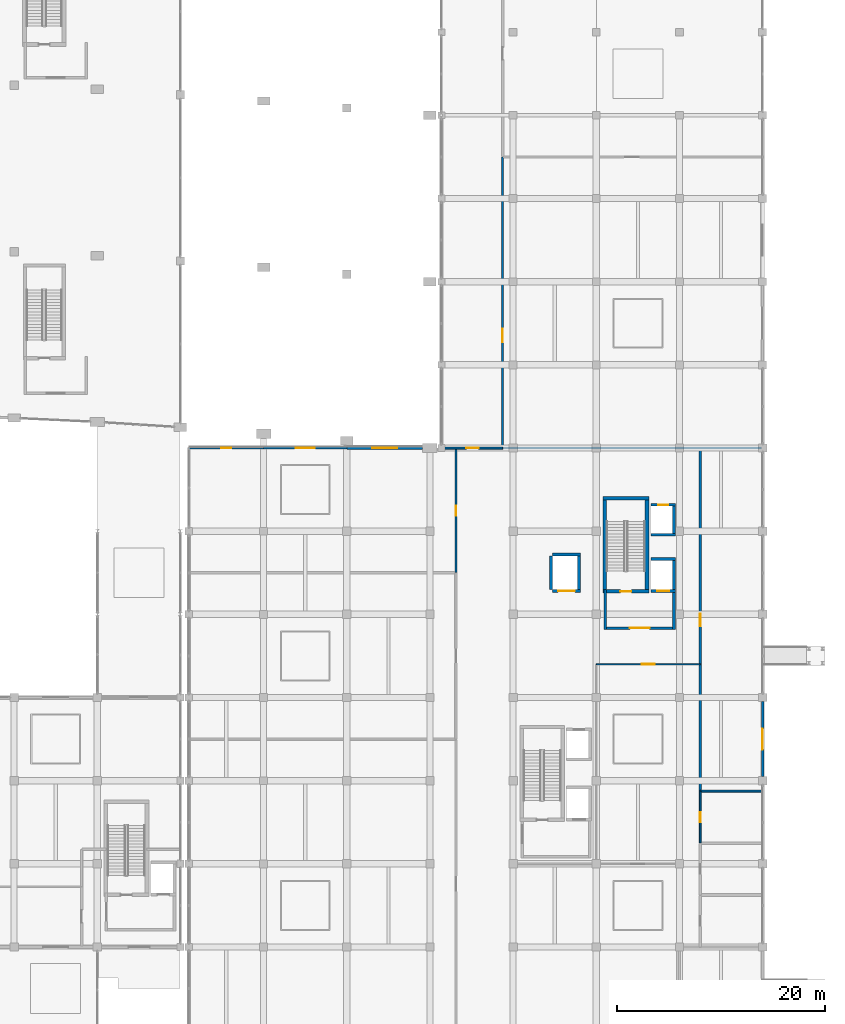
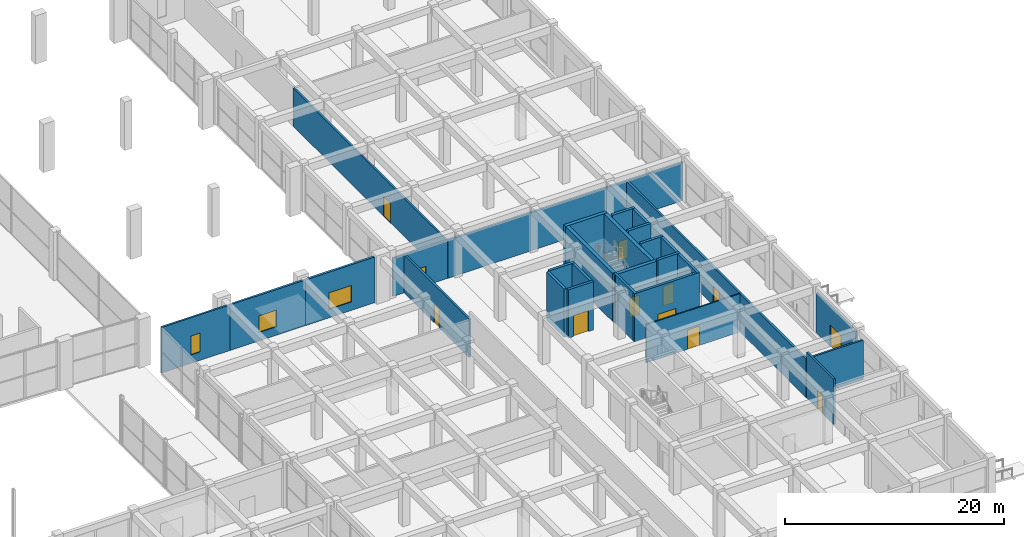
# One storey, part 61 of 86: 29 walls, 12 doors, 3 windows, 15 openings.
"""IFC4 building model written with IfcOpenShell, lengths in metres."""

import ifcopenshell
import ifcopenshell.guid

model = None  # the IFC model being written
_history = None  # IfcOwnerHistory: only IFC2X3 demands one
_inside = {}  # id of a spatial element -> (the spatial element, [elements in it])
_under = {}  # id of a project, library or spatial element -> (it, [spatial elements below it])
_declared = {}  # id of a project -> (the project, [libraries it declares])
_typed = {}  # id of a type object -> (the type object, [elements of that type])
_made_of = {}  # id of a material, layer set ... -> (it, [elements and type objects made of it])


def new_model(schema):
    """Start an empty IFC model of exactly this schema.

    Asked for "IFC4X3", IfcOpenShell would pick the latest addendum, in which some entities
    have other attributes; the version numbers below select the first issue.
    IFC2X3 requires an IfcOwnerHistory on every rooted entity: one is made here for all.
    """
    global model, _history
    if schema == "IFC4X3":
        model = ifcopenshell.file(schema_version=(4, 3, 0, 0))
    else:
        model = ifcopenshell.file(schema=schema)
    _inside.clear()
    _under.clear()
    _declared.clear()
    _typed.clear()
    _made_of.clear()
    _history = None
    if model.schema == "IFC2X3":
        org = make("IfcOrganization", Name="unknown")
        user = make(
            "IfcPersonAndOrganization",
            ThePerson=make("IfcPerson", FamilyName="unknown"),
            TheOrganization=org,
        )
        app = make(
            "IfcApplication",
            ApplicationDeveloper=org,
            Version="unknown",
            ApplicationFullName="unknown",
            ApplicationIdentifier="unknown",
        )
        _history = make(
            "IfcOwnerHistory",
            OwningUser=user,
            OwningApplication=app,
            ChangeAction="ADDED",
            CreationDate=0,
        )
    return model


def make(cls, **values):
    """One entity of the class cls with the attributes given. An attribute that is None is left unset."""
    return model.create_entity(
        cls, **{name: value for name, value in values.items() if value is not None}
    )


def rooted(cls, **values):
    """An entity with a GlobalId (a new one), such as an element, a storey or a relation."""
    return make(cls, GlobalId=ifcopenshell.guid.new(), OwnerHistory=_history, **values)


def si_unit(unit_type, name, prefix=None):
    """IfcSIUnit, for example si_unit("LENGTHUNIT", "METRE", prefix="MILLI")."""
    return make("IfcSIUnit", UnitType=unit_type, Prefix=prefix, Name=name)


def assignment(units):
    """IfcUnitAssignment: the units of a project."""
    return None if units is None else make("IfcUnitAssignment", Units=units)


def point(xyz):
    """IfcCartesianPoint."""
    return None if xyz is None else make("IfcCartesianPoint", Coordinates=xyz)


def direction(xyz):
    """IfcDirection."""
    return None if xyz is None else make("IfcDirection", DirectionRatios=xyz)


def frame(location, z_axis=None, x_axis=None):
    """IfcAxis2Placement3D, a coordinate frame: its origin and axes. An axis left out is left unset."""
    return make(
        "IfcAxis2Placement3D",
        Location=point(location),
        Axis=direction(z_axis),
        RefDirection=direction(x_axis),
    )


def frame_2d(location, x_axis=None):
    """IfcAxis2Placement2D, a coordinate frame in the plane: its origin and x axis."""
    return make(
        "IfcAxis2Placement2D", Location=point(location), RefDirection=direction(x_axis)
    )


def origin():
    """The frame at (0, 0, 0) with its axes left unset."""
    return frame((0.0, 0.0, 0.0))


def place(relative_to, where):
    """IfcLocalPlacement: puts the frame where relative to a parent placement (None: the world)."""
    return make(
        "IfcLocalPlacement", PlacementRelTo=relative_to, RelativePlacement=where
    )


def context(
    kind, dimensions, precision=None, world=None, true_north=None, identifier=None
):
    """IfcGeometricRepresentationContext, for example the 3D "Model" context."""
    return make(
        "IfcGeometricRepresentationContext",
        ContextIdentifier=identifier,
        ContextType=kind,
        CoordinateSpaceDimension=dimensions,
        Precision=precision,
        WorldCoordinateSystem=world,
        TrueNorth=true_north,
    )


def subcontext(parent, identifier, kind, view, scale=None):
    """IfcGeometricRepresentationSubContext, for example "Body" below "Model"."""
    return make(
        "IfcGeometricRepresentationSubContext",
        ContextIdentifier=identifier,
        ContextType=kind,
        ParentContext=parent,
        TargetScale=scale,
        TargetView=view,
    )


def project(units=None, contexts=None):
    """IfcProject with its units and contexts."""
    return rooted(
        "IfcProject",
        Name="project",
        RepresentationContexts=contexts,
        UnitsInContext=assignment(units),
    )


def spatial(cls, under=None, at=None, **own):
    """A site, building, storey or space (cls), placed at a placement, below another one or the project."""
    s = rooted(cls, ObjectPlacement=at, **own)
    if under is not None:
        _under.setdefault(under.id(), (under, []))[1].append(s)
    return s


def profile(cls, at=None, kind="AREA", **sizes):
    """A parametric profile (cls). Its sizes go by their IFC names, for example OverallWidth=200.0."""
    return make(cls, ProfileType=kind, Position=at, **sizes)


def rectangle(**sizes):
    """IfcRectangleProfileDef."""
    return profile("IfcRectangleProfileDef", **sizes)


def extrude(swept, where, along, depth):
    """IfcExtrudedAreaSolid: the profile swept, set in the frame where, extruded along a direction by depth."""
    return make(
        "IfcExtrudedAreaSolid",
        SweptArea=swept,
        Position=where,
        ExtrudedDirection=direction(along),
        Depth=depth,
    )


def shape(context_of_items, identifier, shape_type, items):
    """IfcShapeRepresentation: the items that make up one representation, for example the "Body"."""
    return make(
        "IfcShapeRepresentation",
        ContextOfItems=context_of_items,
        RepresentationIdentifier=identifier,
        RepresentationType=shape_type,
        Items=items,
    )


def material(Name=None, Category=None):
    """IfcMaterial."""
    return make("IfcMaterial", Name=Name, Category=Category)


def layer(
    of_material, thickness, ventilated=None, Name=None, Category=None, Priority=None
):
    """IfcMaterialLayer: one layer of a wall or slab, of a material (None: an air gap)."""
    return make(
        "IfcMaterialLayer",
        Material=of_material,
        LayerThickness=thickness,
        IsVentilated=ventilated,
        Name=Name,
        Category=Category,
        Priority=Priority,
    )


def layer_set(layers, Name=None):
    """IfcMaterialLayerSet."""
    return make("IfcMaterialLayerSet", MaterialLayers=layers, LayerSetName=Name)


def made_of(thing, what):
    """Note that an element or type object is made of a material, layer set ...; save() writes the relation."""
    if what is not None:
        _made_of.setdefault(what.id(), (what, []))[1].append(thing)
    return thing


def type_object(cls, material=None, **own):
    """A type object (cls), such as IfcWallType, which elements share."""
    return made_of(rooted(cls, **own), material)


def element(
    cls,
    number,
    at=None,
    inside=None,
    cuts=None,
    type_object=None,
    material=None,
    context=None,
    identifier="Body",
    shape_type=None,
    held_by="IfcProductDefinitionShape",
    body=None,
    shapes=None,
    **own,
):
    """One element of the class cls, such as IfcWall. Its Tag is "e" and its number.

    at: its placement. inside: the storey or other place that contains it. cuts: it is an
    opening in that element (IfcRelVoidsElement). A single representation is given by context,
    identifier, shape_type and body (its items); several are given by shapes. held_by: the class
    of the entity that holds the representations. save() writes the other relations.
    """
    e = rooted(cls, Tag="e%d" % number, ObjectPlacement=at, **own)
    if body is not None:
        shapes = [shape(context, identifier, shape_type, body)]
    if shapes is not None:
        e.Representation = make(held_by, Representations=shapes)
    if inside is not None:
        _inside.setdefault(inside.id(), (inside, []))[1].append(e)
    if cuts is not None:
        rooted(
            "IfcRelVoidsElement", RelatingBuildingElement=cuts, RelatedOpeningElement=e
        )
    if type_object is not None:
        _typed.setdefault(type_object.id(), (type_object, []))[1].append(e)
    return made_of(e, material)


def fill(opening, filler):
    """IfcRelFillsElement: the door or window that sits in an opening."""
    return rooted(
        "IfcRelFillsElement",
        RelatingOpeningElement=opening,
        RelatedBuildingElement=filler,
    )


def aggregate(whole, parts):
    """IfcRelAggregates: a whole, such as a stair, and the parts it consists of."""
    return rooted("IfcRelAggregates", RelatingObject=whole, RelatedObjects=parts)


def save(model, path):
    """Write the relations noted so far, then the file.

    IfcRelAggregates (storeys below a building ...), IfcRelContainedInSpatialStructure (elements
    in a storey), IfcRelDefinesByType, IfcRelAssociatesMaterial and IfcRelDeclares: one each for
    every whole, place, type object, material and project.
    """
    for whole, parts in _under.values():
        aggregate(whole, parts)
    for where, things in _inside.values():
        rooted(
            "IfcRelContainedInSpatialStructure",
            RelatedElements=things,
            RelatingStructure=where,
        )
    for kind, things in _typed.values():
        rooted("IfcRelDefinesByType", RelatedObjects=things, RelatingType=kind)
    for what, things in _made_of.values():
        rooted("IfcRelAssociatesMaterial", RelatedObjects=things, RelatingMaterial=what)
    for by, libraries in _declared.values():
        rooted("IfcRelDeclares", RelatingContext=by, RelatedDefinitions=libraries)
    model.write(path)


model = new_model("IFC4")

# Units and contexts
model_context = context("Model", 3, precision=1e-05, world=origin(), true_north=direction((0.0, 1.0)))
body_context = subcontext(model_context, "Body", "Model", "MODEL_VIEW")
ifc_project = project(units=[si_unit("LENGTHUNIT", "METRE"), si_unit("AREAUNIT", "SQUARE_METRE"), si_unit("VOLUMEUNIT", "CUBIC_METRE"), si_unit("PLANEANGLEUNIT", "RADIAN"), si_unit("MASSUNIT", "GRAM", prefix="KILO")], contexts=[model_context])

# Site, building, storey
site_placement = place(None, origin())
site = spatial("IfcSite", under=ifc_project, at=site_placement, CompositionType="ELEMENT")
building_placement = place(site_placement, origin())
building = spatial("IfcBuilding", under=site, at=building_placement, Name="Kenh Van Central Station", CompositionType="ELEMENT")
storey_placement = place(building_placement, origin())
storey = spatial("IfcBuildingStorey", under=building, at=storey_placement, Name="L00", CompositionType="ELEMENT", Elevation=0.0)

# Wall, opening, door
ifc_material_1 = material(Name="Lightweight acoustic masonry blockwork", Category="masonry")
ifc_layer_1 = layer(ifc_material_1, 0.18994140625, Name="Lightweight acoustic masonry blockwork")
ifc_layer_set_1 = layer_set([ifc_layer_1], Name="Lightweight acoustic masonry blockwork")
wall_type_1 = type_object("IfcWallType", Name="WL-COMP-190", PredefinedType="SOLIDWALL", material=ifc_layer_set_1)
wall_1_placement = place(storey_placement, frame((145.219970703125, 64.0, 0.0), z_axis=(0.0, 0.0, 1.0), x_axis=(1.0, 0.0, 0.0)))
wall_1 = element("IfcWall", 1, at=wall_1_placement, inside=storey, type_object=wall_type_1, Name="L00 interior wall 0091", PredefinedType="SOLIDWALL", context=body_context, shape_type="SweptSolid", body=[
    extrude(rectangle(XDim=5.760009765625, YDim=0.18994140625, at=frame_2d((2.8798828125, 0.0))), origin(), (0.0, 0.0, 1.0), 4.27001953125),
])
opening_1_placement = place(wall_1_placement, frame((2.280029296875, 0.0, 0.0)))
opening_1 = element("IfcOpeningElement", 2, at=opening_1_placement, cuts=wall_1, Name="Opening D-FD60S", PredefinedType="OPENING", context=body_context, shape_type="SweptSolid", body=[
    extrude(rectangle(XDim=1.199951171875, YDim=2.14990234375, at=frame_2d((0.60009765625, 1.074951171875))), frame((0.0, 0.10498046875, 0.0), z_axis=(0.0, -1.0, 0.0), x_axis=(1.0, 0.0, 0.0)), (0.0, 0.0, 1.0), 0.2099609375),
])
ifc_material_2 = material(Name="Champagne anodised aluminium", Category="aluminium")
door_type_1 = type_object("IfcDoorType", Name="DR-FIRE-1200x2150", OperationType="NOTDEFINED", PredefinedType="DOOR", material=ifc_material_2)
door_1_placement = place(opening_1_placement, origin())
door_1 = element("IfcDoor", 3, at=door_1_placement, inside=storey, type_object=door_type_1, Name="L00 interior door 0049", OperationType="SINGLE_SWING_RIGHT", OverallHeight=2.14990234375, OverallWidth=1.199951171875, PredefinedType="DOOR", context=body_context, shape_type="SweptSolid", body=[
    extrude(rectangle(XDim=1.199951171875, YDim=2.14990234375, at=frame_2d((0.60009765625, 1.074951171875))), frame((0.0, 0.02490234375, 0.0), z_axis=(0.0, -1.0, 0.0), x_axis=(1.0, 0.0, 0.0)), (0.0, 0.0, 1.0), 0.050048828125),
])
fill(opening_1, door_1)

wall_2_placement = place(storey_placement, frame((151.0, 64.02001953125, 0.0), z_axis=(0.0, 0.0, 1.0), x_axis=(0.0, 1.0, 0.0)))
wall_2 = element("IfcWall", 4, at=wall_2_placement, inside=storey, type_object=wall_type_1, Name="L00 interior wall 0093", PredefinedType="SOLIDWALL", context=body_context, shape_type="SweptSolid", body=[
    extrude(rectangle(XDim=27.9599609375, YDim=0.18994140625, at=frame_2d((13.97998046875, 0.0))), origin(), (0.0, 0.0, 1.0), 4.27001953125),
])
opening_2_placement = place(wall_2_placement, frame((10.130859375, 0.0, 0.0)))
opening_2 = element("IfcOpeningElement", 5, at=opening_2_placement, cuts=wall_2, Name="Opening D-FD60P", PredefinedType="OPENING", context=body_context, shape_type="SweptSolid", body=[
    extrude(rectangle(XDim=1.300048828125, YDim=2.199951171875, at=frame_2d((0.64990234375, 1.10009765625))), frame((0.0, 0.10498046875, 0.0), z_axis=(0.0, -1.0, 0.0), x_axis=(1.0, 0.0, 0.0)), (0.0, 0.0, 1.0), 0.2099609375),
])
door_type_2 = type_object("IfcDoorType", Name="DR-FIRE-1300x2200", OperationType="NOTDEFINED", PredefinedType="DOOR", material=ifc_material_2)
door_2_placement = place(opening_2_placement, origin())
door_2 = element("IfcDoor", 6, at=door_2_placement, inside=storey, type_object=door_type_2, Name="L00 interior door 0050", OperationType="SINGLE_SWING_LEFT", OverallHeight=2.199951171875, OverallWidth=1.300048828125, PredefinedType="DOOR", context=body_context, shape_type="SweptSolid", body=[
    extrude(rectangle(XDim=1.300048828125, YDim=2.199951171875, at=frame_2d((0.64990234375, 1.10009765625))), frame((0.0, 0.02490234375, 0.0), z_axis=(0.0, -1.0, 0.0), x_axis=(1.0, 0.0, 0.0)), (0.0, 0.0, 1.0), 0.050048828125),
])
fill(opening_2, door_2)

ifc_layer_2 = layer(ifc_material_1, 0.2099609375, Name="Lightweight acoustic masonry blockwork")
ifc_layer_set_2 = layer_set([ifc_layer_2], Name="Lightweight acoustic masonry blockwork")
wall_type_2 = type_object("IfcWallType", Name="WL-COMP-210", PredefinedType="SOLIDWALL", material=ifc_layer_set_2)
wall_3_placement = place(storey_placement, frame((146.5, 52.02001953125, 0.0), z_axis=(0.0, 0.0, 1.0), x_axis=(0.0, 1.0, 0.0)))
wall_3 = element("IfcWall", 7, at=wall_3_placement, inside=storey, type_object=wall_type_2, Name="L00 interior wall 0076", PredefinedType="SOLIDWALL", context=body_context, shape_type="SweptSolid", body=[
    extrude(rectangle(XDim=11.85986328125, YDim=0.2099609375, at=frame_2d((5.929931640625, 0.0))), origin(), (0.0, 0.0, 1.0), 4.27001953125),
])
opening_3_placement = place(wall_3_placement, frame((5.455078125, 0.0, 0.0)))
opening_3 = element("IfcOpeningElement", 8, at=opening_3_placement, cuts=wall_3, Name="Opening D-FD30", PredefinedType="OPENING", context=body_context, shape_type="SweptSolid", body=[
    extrude(rectangle(XDim=0.949951171875, YDim=2.10009765625, at=frame_2d((0.47509765625, 1.050048828125))), frame((0.0, 0.114990234375, 0.0), z_axis=(0.0, -1.0, 0.0), x_axis=(1.0, 0.0, 0.0)), (0.0, 0.0, 1.0), 0.22998046875),
])
door_type_3 = type_object("IfcDoorType", Name="DR-FIRE-950x2100", OperationType="NOTDEFINED", PredefinedType="DOOR", material=ifc_material_2)
door_3_placement = place(opening_3_placement, origin())
door_3 = element("IfcDoor", 9, at=door_3_placement, inside=storey, type_object=door_type_3, Name="L00 interior door 0042", OperationType="SINGLE_SWING_LEFT", OverallHeight=2.10009765625, OverallWidth=0.949951171875, PredefinedType="DOOR", context=body_context, shape_type="SweptSolid", body=[
    extrude(rectangle(XDim=0.949951171875, YDim=2.10009765625, at=frame_2d((0.47509765625, 1.050048828125))), frame((0.0, 0.02490234375, 0.0), z_axis=(0.0, -1.0, 0.0), x_axis=(1.0, 0.0, 0.0)), (0.0, 0.0, 1.0), 0.050048828125),
])
fill(opening_3, door_3)

wall_4_placement = place(storey_placement, frame((170.0, 31.02001953125, 0.0), z_axis=(0.0, 0.0, 1.0), x_axis=(0.0, 1.0, 0.0)))
wall_4 = element("IfcWall", 10, at=wall_4_placement, inside=storey, type_object=wall_type_2, Name="L00 interior wall 0090", PredefinedType="SOLIDWALL", context=body_context, shape_type="SweptSolid", body=[
    extrude(rectangle(XDim=32.85986328125, YDim=0.2099609375, at=frame_2d((16.429931640625, 0.0))), origin(), (0.0, 0.0, 1.0), 4.27001953125),
])
opening_4_placement = place(wall_4_placement, frame((15.830078125, 0.0, 0.0)))
opening_4 = element("IfcOpeningElement", 11, at=opening_4_placement, cuts=wall_4, Name="Opening D-FD60S", PredefinedType="OPENING", context=body_context, shape_type="SweptSolid", body=[
    extrude(rectangle(XDim=1.199951171875, YDim=2.14990234375, at=frame_2d((0.60009765625, 1.074951171875))), frame((0.0, 0.114990234375, 0.0), z_axis=(0.0, -1.0, 0.0), x_axis=(1.0, 0.0, 0.0)), (0.0, 0.0, 1.0), 0.22998046875),
])
door_4_placement = place(opening_4_placement, origin())
door_4 = element("IfcDoor", 12, at=door_4_placement, inside=storey, type_object=door_type_1, Name="L00 interior door 0048", OperationType="SINGLE_SWING_LEFT", OverallHeight=2.14990234375, OverallWidth=1.199951171875, PredefinedType="DOOR", context=body_context, shape_type="SweptSolid", body=[
    extrude(rectangle(XDim=1.199951171875, YDim=2.14990234375, at=frame_2d((0.60009765625, 1.074951171875))), frame((0.0, 0.02490234375, 0.0), z_axis=(0.0, -1.0, 0.0), x_axis=(1.0, 0.0, 0.0)), (0.0, 0.0, 1.0), 0.050048828125),
])
fill(opening_4, door_4)

# Wall
wall_5_placement = place(storey_placement, frame((151.02001953125, 64.0, 0.0), z_axis=(0.0, 0.0, 1.0), x_axis=(1.0, 0.0, 0.0)))
element("IfcWall", 13, at=wall_5_placement, inside=storey, type_object=wall_type_2, Name="L00 interior wall 0092", PredefinedType="SOLIDWALL", context=body_context, shape_type="SweptSolid", body=[
    extrude(rectangle(XDim=24.85986328125, YDim=0.2099609375, at=frame_2d((12.429931640625, 0.0))), origin(), (0.0, 0.0, 1.0), 4.27001953125),
])

# Wall, opening, door
ifc_material_3 = material(Name="Concrete C40/50", Category="concrete")
ifc_layer_3 = layer(ifc_material_3, 0.280029296875, Name="Concrete C40/50")
ifc_layer_set_3 = layer_set([ifc_layer_3], Name="Concrete C40/50")
wall_type_3 = type_object("IfcWallType", Name="WL-CORE-280", PredefinedType="SHEAR", material=ifc_layer_set_3)
wall_6_placement = place(storey_placement, frame((165.25, 50.260009765625, 0.0), z_axis=(0.0, 0.0, 1.0), x_axis=(1.0, 0.0, 0.0)))
wall_6 = element("IfcWall", 14, at=wall_6_placement, inside=storey, type_object=wall_type_3, Name="L00 LIFT-FF2 shaft wall S", PredefinedType="SHEAR", context=body_context, shape_type="SweptSolid", body=[
    extrude(rectangle(XDim=2.3798828125, YDim=0.280029296875, at=frame_2d((1.18994140625, 0.0))), origin(), (0.0, 0.0, 1.0), 5.39990234375),
])
opening_5_placement = place(wall_6_placement, frame((0.614990234375, 0.0, 0.0)))
opening_5 = element("IfcOpeningElement", 15, at=opening_5_placement, cuts=wall_6, Name="Opening LD-FF1", PredefinedType="OPENING", context=body_context, shape_type="SweptSolid", body=[
    extrude(rectangle(XDim=1.14990234375, YDim=2.199951171875, at=frame_2d((0.574951171875, 1.10009765625))), frame((0.0, 0.14990234375, 0.0), z_axis=(0.0, -1.0, 0.0), x_axis=(1.0, 0.0, 0.0)), (0.0, 0.0, 1.0), 0.300048828125),
])
door_type_4 = type_object("IfcDoorType", Name="DR-LIFT-1150x2200", OperationType="SLIDING_TO_LEFT", PredefinedType="DOOR", material=ifc_material_2)
door_5_placement = place(opening_5_placement, origin())
door_5 = element("IfcDoor", 16, at=door_5_placement, inside=storey, type_object=door_type_4, Name="L00 LIFT-FF2 sliding landing door", OperationType="SLIDING_TO_LEFT", OverallHeight=2.199951171875, OverallWidth=1.14990234375, PredefinedType="DOOR", context=body_context, shape_type="SweptSolid", body=[
    extrude(rectangle(XDim=1.14990234375, YDim=2.199951171875, at=frame_2d((0.574951171875, 1.10009765625))), frame((0.0, 0.02490234375, 0.0), z_axis=(0.0, -1.0, 0.0), x_axis=(1.0, 0.0, 0.0)), (0.0, 0.0, 1.0), 0.050048828125),
])
fill(opening_5, door_5)

# Walls
wall_7_placement = place(storey_placement, frame((165.25, 53.340087890625, 0.0), z_axis=(0.0, 0.0, 1.0), x_axis=(1.0, 0.0, 0.0)))
element("IfcWall", 17, at=wall_7_placement, inside=storey, type_object=wall_type_3, Name="L00 LIFT-FF2 shaft wall N", PredefinedType="SHEAR", context=body_context, shape_type="SweptSolid", body=[
    extrude(rectangle(XDim=2.3798828125, YDim=0.280029296875, at=frame_2d((1.18994140625, 0.0))), origin(), (0.0, 0.0, 1.0), 5.39990234375),
])
wall_8_placement = place(storey_placement, frame((167.489990234375, 50.39990234375, 0.0), z_axis=(0.0, 0.0, 1.0), x_axis=(0.0, 1.0, 0.0)))
element("IfcWall", 18, at=wall_8_placement, inside=storey, type_object=wall_type_3, Name="L00 LIFT-FF2 shaft wall E", PredefinedType="SHEAR", context=body_context, shape_type="SweptSolid", body=[
    extrude(rectangle(XDim=2.800048828125, YDim=0.280029296875, at=frame_2d((1.39990234375, 0.0))), origin(), (0.0, 0.0, 1.0), 5.39990234375),
])
wall_9_placement = place(storey_placement, frame((165.25, 55.659912109375, 0.0), z_axis=(0.0, 0.0, 1.0), x_axis=(1.0, 0.0, 0.0)))
element("IfcWall", 19, at=wall_9_placement, inside=storey, type_object=wall_type_3, Name="L00 LIFT-OP2 shaft wall S", PredefinedType="SHEAR", context=body_context, shape_type="SweptSolid", body=[
    extrude(rectangle(XDim=2.3798828125, YDim=0.280029296875, at=frame_2d((1.18994140625, 0.0))), origin(), (0.0, 0.0, 1.0), 5.39990234375),
])

# Wall, opening, door
wall_10_placement = place(storey_placement, frame((165.25, 58.5400390625, 0.0), z_axis=(0.0, 0.0, 1.0), x_axis=(1.0, 0.0, 0.0)))
wall_10 = element("IfcWall", 20, at=wall_10_placement, inside=storey, type_object=wall_type_3, Name="L00 LIFT-OP2 shaft wall N", PredefinedType="SHEAR", context=body_context, shape_type="SweptSolid", body=[
    extrude(rectangle(XDim=2.3798828125, YDim=0.280029296875, at=frame_2d((1.18994140625, 0.0))), origin(), (0.0, 0.0, 1.0), 5.39990234375),
])
opening_6_placement = place(wall_10_placement, frame((0.68994140625, 0.0, 0.0)))
opening_6 = element("IfcOpeningElement", 21, at=opening_6_placement, cuts=wall_10, Name="Opening LD-OP1", PredefinedType="OPENING", context=body_context, shape_type="SweptSolid", body=[
    extrude(rectangle(XDim=1.0, YDim=2.14990234375, at=frame_2d((0.5, 1.074951171875))), frame((0.0, 0.14990234375, 0.0), z_axis=(0.0, -1.0, 0.0), x_axis=(1.0, 0.0, 0.0)), (0.0, 0.0, 1.0), 0.300048828125),
])
door_type_5 = type_object("IfcDoorType", Name="DR-LIFT-1000x2150", OperationType="SLIDING_TO_LEFT", PredefinedType="DOOR", material=ifc_material_2)
door_6_placement = place(opening_6_placement, origin())
door_6 = element("IfcDoor", 22, at=door_6_placement, inside=storey, type_object=door_type_5, Name="L00 LIFT-OP2 sliding landing door", OperationType="SLIDING_TO_LEFT", OverallHeight=2.14990234375, OverallWidth=1.0, PredefinedType="DOOR", context=body_context, shape_type="SweptSolid", body=[
    extrude(rectangle(XDim=1.0, YDim=2.14990234375, at=frame_2d((0.5, 1.074951171875))), frame((0.0, 0.02490234375, 0.0), z_axis=(0.0, -1.0, 0.0), x_axis=(1.0, 0.0, 0.0)), (0.0, 0.0, 1.0), 0.050048828125),
])
fill(opening_6, door_6)

# Wall
wall_11_placement = place(storey_placement, frame((167.489990234375, 55.800048828125, 0.0), z_axis=(0.0, 0.0, 1.0), x_axis=(0.0, 1.0, 0.0)))
element("IfcWall", 23, at=wall_11_placement, inside=storey, type_object=wall_type_3, Name="L00 LIFT-OP2 shaft wall E", PredefinedType="SHEAR", context=body_context, shape_type="SweptSolid", body=[
    extrude(rectangle(XDim=2.599853515625, YDim=0.280029296875, at=frame_2d((1.2998046875, 0.0))), origin(), (0.0, 0.0, 1.0), 5.39990234375),
])

# Wall, opening, door
wall_12_placement = place(storey_placement, frame((155.800048828125, 50.260009765625, 0.0), z_axis=(0.0, 0.0, 1.0), x_axis=(1.0, 0.0, 0.0)))
wall_12 = element("IfcWall", 24, at=wall_12_placement, inside=storey, type_object=wall_type_3, Name="L00 LIFT-GD1 shaft wall S", PredefinedType="SHEAR", context=body_context, shape_type="SweptSolid", body=[
    extrude(rectangle(XDim=2.679931640625, YDim=0.280029296875, at=frame_2d((1.33984375, 0.0))), origin(), (0.0, 0.0, 1.0), 5.39990234375),
])
opening_7_placement = place(wall_12_placement, frame((0.5400390625, 0.0, 0.0)))
opening_7 = element("IfcOpeningElement", 25, at=opening_7_placement, cuts=wall_12, Name="Opening LD-GD1", PredefinedType="OPENING", context=body_context, shape_type="SweptSolid", body=[
    extrude(rectangle(XDim=1.60009765625, YDim=2.35009765625, at=frame_2d((0.800048828125, 1.175048828125))), frame((0.0, 0.14990234375, 0.0), z_axis=(0.0, -1.0, 0.0), x_axis=(1.0, 0.0, 0.0)), (0.0, 0.0, 1.0), 0.300048828125),
])
door_type_6 = type_object("IfcDoorType", Name="DR-LIFT-1600x2350", OperationType="SLIDING_TO_LEFT", PredefinedType="DOOR", material=ifc_material_2)
door_7_placement = place(opening_7_placement, origin())
door_7 = element("IfcDoor", 26, at=door_7_placement, inside=storey, type_object=door_type_6, Name="L00 LIFT-GD1 sliding landing door", OperationType="SLIDING_TO_LEFT", OverallHeight=2.35009765625, OverallWidth=1.60009765625, PredefinedType="DOOR", context=body_context, shape_type="SweptSolid", body=[
    extrude(rectangle(XDim=1.60009765625, YDim=2.35009765625, at=frame_2d((0.800048828125, 1.175048828125))), frame((0.0, 0.02490234375, 0.0), z_axis=(0.0, -1.0, 0.0), x_axis=(1.0, 0.0, 0.0)), (0.0, 0.0, 1.0), 0.050048828125),
])
fill(opening_7, door_7)

# Walls
wall_13_placement = place(storey_placement, frame((155.800048828125, 53.739990234375, 0.0), z_axis=(0.0, 0.0, 1.0), x_axis=(1.0, 0.0, 0.0)))
element("IfcWall", 27, at=wall_13_placement, inside=storey, type_object=wall_type_3, Name="L00 LIFT-GD1 shaft wall N", PredefinedType="SHEAR", context=body_context, shape_type="SweptSolid", body=[
    extrude(rectangle(XDim=2.679931640625, YDim=0.280029296875, at=frame_2d((1.33984375, 0.0))), origin(), (0.0, 0.0, 1.0), 5.39990234375),
])
for number, where, z_axis, x_axis, name in (
    (28, (158.340087890625, 50.39990234375, 0.0), (0.0, 0.0, 1.0), (0.0, 1.0, 0.0), "L00 LIFT-GD1 shaft wall E"),
    (29, (155.659912109375, 50.39990234375, 0.0), (0.0, 0.0, 1.0), (0.0, 1.0, 0.0), "L00 LIFT-GD1 shaft wall W"),
):
    element("IfcWall", number, at=place(storey_placement, frame(where, z_axis=z_axis, x_axis=x_axis)), inside=storey, type_object=wall_type_3, Name=name, PredefinedType="SHEAR", context=body_context, shape_type="SweptSolid", body=[
        extrude(rectangle(XDim=3.2001953125, YDim=0.280029296875, at=frame_2d((1.60009765625, 0.0))), origin(), (0.0, 0.0, 1.0), 5.39990234375),
    ])

# Wall, opening, door
ifc_layer_4 = layer(ifc_material_3, 0.360107421875, Name="Concrete C40/50")
ifc_layer_set_4 = layer_set([ifc_layer_4], Name="Concrete C40/50")
wall_type_4 = type_object("IfcWallType", Name="WL-CORE-360", PredefinedType="SHEAR", material=ifc_layer_set_4)
wall_14_placement = place(storey_placement, frame((160.639892578125, 50.219970703125, 0.0), z_axis=(0.0, 0.0, 1.0), x_axis=(1.0, 0.0, 0.0)))
wall_14 = element("IfcWall", 30, at=wall_14_placement, inside=storey, type_object=wall_type_4, Name="L00 CORE-10 stair wall S", PredefinedType="SHEAR", context=body_context, shape_type="SweptSolid", body=[
    extrude(rectangle(XDim=4.420166015625, YDim=0.360107421875, at=frame_2d((2.2099609375, 0.0))), origin(), (0.0, 0.0, 1.0), 5.39990234375),
])
opening_8_placement = place(wall_14_placement, frame((1.68505859375, 0.0, 0.0)))
opening_8 = element("IfcOpeningElement", 31, at=opening_8_placement, cuts=wall_14, Name="Opening D-FD60", PredefinedType="OPENING", context=body_context, shape_type="SweptSolid", body=[
    extrude(rectangle(XDim=1.050048828125, YDim=2.14990234375, at=frame_2d((0.52490234375, 1.074951171875))), frame((0.0, 0.18994140625, 0.0), z_axis=(0.0, -1.0, 0.0), x_axis=(1.0, 0.0, 0.0)), (0.0, 0.0, 1.0), 0.380126953125),
])
door_type_7 = type_object("IfcDoorType", Name="DR-FIRE-1050x2150", OperationType="NOTDEFINED", PredefinedType="DOOR", material=ifc_material_2)
door_8_placement = place(opening_8_placement, origin())
door_8 = element("IfcDoor", 32, at=door_8_placement, inside=storey, type_object=door_type_7, Name="L00 ST-10 stair door", OperationType="SINGLE_SWING_LEFT", OverallHeight=2.14990234375, OverallWidth=1.050048828125, PredefinedType="DOOR", context=body_context, shape_type="SweptSolid", body=[
    extrude(rectangle(XDim=1.050048828125, YDim=2.14990234375, at=frame_2d((0.52490234375, 1.074951171875))), frame((0.0, 0.02490234375, 0.0), z_axis=(0.0, -1.0, 0.0), x_axis=(1.0, 0.0, 0.0)), (0.0, 0.0, 1.0), 0.050048828125),
])
fill(opening_8, door_8)

# Walls
wall_15_placement = place(storey_placement, frame((160.639892578125, 59.179931640625, 0.0), z_axis=(0.0, 0.0, 1.0), x_axis=(1.0, 0.0, 0.0)))
element("IfcWall", 33, at=wall_15_placement, inside=storey, type_object=wall_type_4, Name="L00 CORE-10 stair wall N", PredefinedType="SHEAR", context=body_context, shape_type="SweptSolid", body=[
    extrude(rectangle(XDim=4.420166015625, YDim=0.360107421875, at=frame_2d((2.2099609375, 0.0))), origin(), (0.0, 0.0, 1.0), 5.39990234375),
])
for number, where, z_axis, x_axis, name in (
    (34, (160.820068359375, 50.39990234375, 0.0), (0.0, 0.0, 1.0), (0.0, 1.0, 0.0), "L00 CORE-10 stair wall W"),
    (35, (164.8798828125, 50.39990234375, 0.0), (0.0, 0.0, 1.0), (0.0, 1.0, 0.0), "L00 CORE-10 stair wall E"),
):
    element("IfcWall", number, at=place(storey_placement, frame(where, z_axis=z_axis, x_axis=x_axis)), inside=storey, type_object=wall_type_4, Name=name, PredefinedType="SHEAR", context=body_context, shape_type="SweptSolid", body=[
        extrude(rectangle(XDim=8.60009765625, YDim=0.360107421875, at=frame_2d((4.300048828125, 0.0))), origin(), (0.0, 0.0, 1.0), 5.39990234375),
    ])

# Wall, opening, door
ifc_layer_5 = layer(ifc_material_3, 0.260009765625, Name="Concrete C40/50")
ifc_layer_set_5 = layer_set([ifc_layer_5], Name="Concrete C40/50")
wall_type_5 = type_object("IfcWallType", Name="WL-FIRE-260", PredefinedType="SHEAR", material=ifc_layer_set_5)
wall_16_placement = place(storey_placement, frame((167.610107421875, 46.669921875, 0.0), z_axis=(0.0, 0.0, 1.0), x_axis=(-1.0, 0.0, 0.0)))
wall_16 = element("IfcWall", 36, at=wall_16_placement, inside=storey, type_object=wall_type_5, Name="L00 CORE-10 lobby wall S", PredefinedType="SHEAR", context=body_context, shape_type="SweptSolid", body=[
    extrude(rectangle(XDim=6.8701171875, YDim=0.260009765625, at=frame_2d((3.43505859375, 0.0))), origin(), (0.0, 0.0, 1.0), 5.39990234375),
])
opening_9_placement = place(wall_16_placement, frame((2.485107421875, 0.0, 0.0)))
opening_9 = element("IfcOpeningElement", 37, at=opening_9_placement, cuts=wall_16, Name="Opening D-FD60W", PredefinedType="OPENING", context=body_context, shape_type="SweptSolid", body=[
    extrude(rectangle(XDim=1.89990234375, YDim=2.25, at=frame_2d((0.949951171875, 1.125))), frame((0.0, 0.139892578125, 0.0), z_axis=(0.0, -1.0, 0.0), x_axis=(1.0, 0.0, 0.0)), (0.0, 0.0, 1.0), 0.280029296875),
])
door_type_8 = type_object("IfcDoorType", Name="DR-FIRE-1900x2250", OperationType="DOUBLE_DOOR_SINGLE_SWING", PredefinedType="DOOR", material=ifc_material_2)
door_9_placement = place(opening_9_placement, origin())
door_9 = element("IfcDoor", 38, at=door_9_placement, inside=storey, type_object=door_type_8, Name="L00 CORE-10 smoke-stop lobby door", OperationType="DOUBLE_DOOR_SINGLE_SWING", OverallHeight=2.25, OverallWidth=1.89990234375, PredefinedType="DOOR", context=body_context, shape_type="SweptSolid", body=[
    extrude(rectangle(XDim=1.89990234375, YDim=2.25, at=frame_2d((0.949951171875, 1.125))), frame((0.0, 0.02490234375, 0.0), z_axis=(0.0, -1.0, 0.0), x_axis=(1.0, 0.0, 0.0)), (0.0, 0.0, 1.0), 0.050048828125),
])
fill(opening_9, door_9)

# Walls
for number, where, z_axis, x_axis, name in (
    (39, (160.8701171875, 46.5400390625, 0.0), (0.0, 0.0, 1.0), (0.0, 1.0, 0.0), "L00 CORE-10 lobby wall W"),
    (40, (167.47998046875, 46.5400390625, 0.0), (0.0, 0.0, 1.0), (0.0, 1.0, 0.0), "L00 CORE-10 lobby wall E"),
):
    element("IfcWall", number, at=place(storey_placement, frame(where, z_axis=z_axis, x_axis=x_axis)), inside=storey, type_object=wall_type_5, Name=name, PredefinedType="SHEAR", context=body_context, shape_type="SweptSolid", body=[
        extrude(rectangle(XDim=3.85986328125, YDim=0.260009765625, at=frame_2d((1.929931640625, 0.0))), origin(), (0.0, 0.0, 1.0), 5.39990234375),
    ])

# Wall, opening, door
ifc_layer_6 = layer(ifc_material_1, 0.135009765625, Name="Lightweight acoustic masonry blockwork")
ifc_layer_set_6 = layer_set([ifc_layer_6], Name="Lightweight acoustic masonry blockwork")
wall_type_6 = type_object("IfcWallType", Name="WL-PART-135", PredefinedType="PARTITIONING", material=ifc_layer_set_6)
wall_17_placement = place(storey_placement, frame((160.02001953125, 43.199951171875, 0.0), z_axis=(0.0, 0.0, 1.0), x_axis=(1.0, 0.0, 0.0)))
wall_17 = element("IfcWall", 41, at=wall_17_placement, inside=storey, type_object=wall_type_6, Name="L00 interior wall 0206", PredefinedType="PARTITIONING", context=body_context, shape_type="SweptSolid", body=[
    extrude(rectangle(XDim=9.9599609375, YDim=0.135009765625, at=frame_2d((4.97998046875, 0.0))), origin(), (0.0, 0.0, 1.0), 4.27001953125),
])
opening_10_placement = place(wall_17_placement, frame((4.35498046875, 0.0, 0.0)))
opening_10 = element("IfcOpeningElement", 42, at=opening_10_placement, cuts=wall_17, Name="Opening D-IN04", PredefinedType="OPENING", context=body_context, shape_type="SweptSolid", body=[
    extrude(rectangle(XDim=1.25, YDim=2.14990234375, at=frame_2d((0.625, 1.074951171875))), frame((0.0, 0.077392578125, 0.0), z_axis=(0.0, -1.0, 0.0), x_axis=(1.0, 0.0, 0.0)), (0.0, 0.0, 1.0), 0.155029296875),
])
ifc_material_4 = material(Name="Architectural hardwood timber", Category="wood")
door_type_9 = type_object("IfcDoorType", Name="DR-INT-1250x2150", OperationType="NOTDEFINED", PredefinedType="DOOR", material=ifc_material_4)
door_10_placement = place(opening_10_placement, origin())
door_10 = element("IfcDoor", 43, at=door_10_placement, inside=storey, type_object=door_type_9, Name="L00 interior door 0113", OperationType="SINGLE_SWING_RIGHT", OverallHeight=2.14990234375, OverallWidth=1.25, PredefinedType="DOOR", context=body_context, shape_type="SweptSolid", body=[
    extrude(rectangle(XDim=1.25, YDim=2.14990234375, at=frame_2d((0.625, 1.074951171875))), frame((0.0, 0.02490234375, 0.0), z_axis=(0.0, -1.0, 0.0), x_axis=(1.0, 0.0, 0.0)), (0.0, 0.0, 1.0), 0.050048828125),
])
fill(opening_10, door_10)

ifc_layer_7 = layer(ifc_material_1, 0.18505859375, Name="Lightweight acoustic masonry blockwork")
ifc_layer_set_7 = layer_set([ifc_layer_7], Name="Lightweight acoustic masonry blockwork")
wall_type_7 = type_object("IfcWallType", Name="WL-PLMB-185", PredefinedType="PLUMBINGWALL", material=ifc_layer_set_7)
wall_18_placement = place(storey_placement, frame((170.0, 26.02001953125, 0.0), z_axis=(0.0, 0.0, 1.0), x_axis=(0.0, 1.0, 0.0)))
wall_18 = element("IfcWall", 44, at=wall_18_placement, inside=storey, type_object=wall_type_7, Name="L00 interior wall 0086", PredefinedType="PLUMBINGWALL", context=body_context, shape_type="SweptSolid", body=[
    extrude(rectangle(XDim=4.9599609375, YDim=0.18505859375, at=frame_2d((2.47998046875, 0.0))), origin(), (0.0, 0.0, 1.0), 5.10009765625),
])
opening_11_placement = place(wall_18_placement, frame((2.0, 0.0, 0.0)))
opening_11 = element("IfcOpeningElement", 45, at=opening_11_placement, cuts=wall_18, Name="Opening D-IN08", PredefinedType="OPENING", context=body_context, shape_type="SweptSolid", body=[
    extrude(rectangle(XDim=0.9599609375, YDim=2.10009765625, at=frame_2d((0.47998046875, 1.050048828125))), frame((0.0, 0.1025390625, 0.0), z_axis=(0.0, -1.0, 0.0), x_axis=(1.0, 0.0, 0.0)), (0.0, 0.0, 1.0), 0.205078125),
])
door_type_10 = type_object("IfcDoorType", Name="DR-INT-960x2100", OperationType="NOTDEFINED", PredefinedType="DOOR", material=ifc_material_4)
door_11_placement = place(opening_11_placement, origin())
door_11 = element("IfcDoor", 46, at=door_11_placement, inside=storey, type_object=door_type_10, Name="L00 interior door 0047", OperationType="SINGLE_SWING_RIGHT", OverallHeight=2.10009765625, OverallWidth=0.9599609375, PredefinedType="DOOR", context=body_context, shape_type="SweptSolid", body=[
    extrude(rectangle(XDim=0.9599609375, YDim=2.10009765625, at=frame_2d((0.47998046875, 1.050048828125))), frame((0.0, 0.02490234375, 0.0), z_axis=(0.0, -1.0, 0.0), x_axis=(1.0, 0.0, 0.0)), (0.0, 0.0, 1.0), 0.050048828125),
])
fill(opening_11, door_11)

# Wall
wall_19_placement = place(storey_placement, frame((170.02001953125, 31.0, 0.0), z_axis=(0.0, 0.0, 1.0), x_axis=(1.0, 0.0, 0.0)))
element("IfcWall", 47, at=wall_19_placement, inside=storey, type_object=wall_type_7, Name="L00 interior wall 0089", PredefinedType="PLUMBINGWALL", context=body_context, shape_type="SweptSolid", body=[
    extrude(rectangle(XDim=5.85986328125, YDim=0.18505859375, at=frame_2d((2.929931640625, 0.0))), origin(), (0.0, 0.0, 1.0), 4.419921875),
])

# Wall, opening, window
ifc_material_5 = material(Name="Glazed terracotta architectural masonry", Category="masonry")
ifc_layer_8 = layer(ifc_material_5, 0.195068359375, Name="Glazed terracotta architectural masonry")
ifc_layer_set_8 = layer_set([ifc_layer_8], Name="Glazed terracotta architectural masonry")
wall_type_8 = type_object("IfcWallType", Name="WL-SLD-195", PredefinedType="SOLIDWALL", material=ifc_layer_set_8)
wall_20_placement = place(storey_placement, frame((128.0, 64.0, 0.0), z_axis=(0.0, 0.0, 1.0), x_axis=(-1.0, 0.0, 0.0)))
wall_20 = element("IfcWall", 48, at=wall_20_placement, inside=storey, type_object=wall_type_8, Name="L00 exterior wall 047", PredefinedType="SOLIDWALL", context=body_context, shape_type="SweptSolid", body=[
    extrude(rectangle(XDim=7.199951171875, YDim=0.195068359375, at=frame_2d((3.60009765625, 0.0))), origin(), (0.0, 0.0, 1.0), 5.10009765625),
])
opening_12_placement = place(wall_20_placement, frame((3.125, 0.0, 0.949951171875)))
opening_12 = element("IfcOpeningElement", 49, at=opening_12_placement, cuts=wall_20, Name="Opening WN-24", PredefinedType="OPENING", context=body_context, shape_type="SweptSolid", body=[
    extrude(rectangle(XDim=0.949951171875, YDim=2.10009765625, at=frame_2d((0.47509765625, 1.050048828125))), frame((0.0, 0.107421875, 0.0), z_axis=(0.0, -1.0, 0.0), x_axis=(1.0, 0.0, 0.0)), (0.0, 0.0, 1.0), 0.215087890625),
])
ifc_material_6 = material(Name="Double-glazed low-E laminated solar glass", Category="glass")
window_type_1 = type_object("IfcWindowType", Name="WN-SLOT-950x2100", PartitioningType="SINGLE_PANEL", PredefinedType="WINDOW", material=ifc_material_6)
window_1_placement = place(opening_12_placement, origin())
window_1 = element("IfcWindow", 50, at=window_1_placement, inside=storey, type_object=window_type_1, Name="L00 window 019", OverallHeight=2.10009765625, OverallWidth=0.949951171875, PartitioningType="SINGLE_PANEL", PredefinedType="WINDOW", context=body_context, shape_type="SweptSolid", body=[
    extrude(rectangle(XDim=0.949951171875, YDim=2.10009765625, at=frame_2d((0.47509765625, 1.050048828125))), frame((0.0, 0.030029296875, 0.0), z_axis=(0.0, -1.0, 0.0), x_axis=(1.0, 0.0, 0.0)), (0.0, 0.0, 1.0), 0.06005859375),
])
fill(opening_12, window_1)

# Wall, opening, door
ifc_layer_9 = layer(ifc_material_5, 0.219970703125, Name="Glazed terracotta architectural masonry")
ifc_layer_set_9 = layer_set([ifc_layer_9], Name="Glazed terracotta architectural masonry")
wall_type_9 = type_object("IfcWallType", Name="WL-SLD-220", PredefinedType="SOLIDWALL", material=ifc_layer_set_9)
wall_21_placement = place(storey_placement, frame((176.0, 32.39990234375, 0.0), z_axis=(0.0, 0.0, 1.0), x_axis=(0.0, 1.0, 0.0)))
wall_21 = element("IfcWall", 51, at=wall_21_placement, inside=storey, type_object=wall_type_9, Name="L00 exterior wall 038", PredefinedType="SOLIDWALL", context=body_context, shape_type="SweptSolid", body=[
    extrude(rectangle(XDim=7.2001953125, YDim=0.219970703125, at=frame_2d((3.60009765625, 0.0))), origin(), (0.0, 0.0, 1.0), 4.419921875),
])
opening_13_placement = place(wall_21_placement, frame((2.60009765625, 0.0, 0.0)))
opening_13 = element("IfcOpeningElement", 52, at=opening_13_placement, cuts=wall_21, Name="Opening D-EX3", PredefinedType="OPENING", context=body_context, shape_type="SweptSolid", body=[
    extrude(rectangle(XDim=2.0, YDim=2.39990234375, at=frame_2d((1.0, 1.199951171875))), frame((0.0, 0.119873046875, 0.0), z_axis=(0.0, -1.0, 0.0), x_axis=(1.0, 0.0, 0.0)), (0.0, 0.0, 1.0), 0.239990234375),
])
door_type_11 = type_object("IfcDoorType", Name="DR-EXT-2000x2400", OperationType="DOUBLE_DOOR_SINGLE_SWING", PredefinedType="DOOR", material=ifc_material_2)
door_12_placement = place(opening_13_placement, frame((2.0, 0.0, 0.0), z_axis=(0.0, 0.0, 1.0), x_axis=(-1.0, 0.0, 0.0)))
door_12 = element("IfcDoor", 53, at=door_12_placement, inside=storey, type_object=door_type_11, Name="L00 exterior door 026", OperationType="DOUBLE_DOOR_SINGLE_SWING", OverallHeight=2.39990234375, OverallWidth=2.0, PredefinedType="DOOR", context=body_context, shape_type="SweptSolid", body=[
    extrude(rectangle(XDim=2.0, YDim=2.39990234375, at=frame_2d((-1.0, 1.199951171875))), frame((0.0, -0.02490234375, 0.0), z_axis=(0.0, 1.0, 0.0), x_axis=(-1.0, 0.0, 0.0)), (0.0, 0.0, 1.0), 0.050048828125),
])
fill(opening_13, door_12)

# Wall, opening, window
wall_22_placement = place(storey_placement, frame((136.0, 64.0, 0.0), z_axis=(0.0, 0.0, 1.0), x_axis=(-1.0, 0.0, 0.0)))
wall_22 = element("IfcWall", 54, at=wall_22_placement, inside=storey, type_object=wall_type_9, Name="L00 exterior wall 046", PredefinedType="SOLIDWALL", context=body_context, shape_type="SweptSolid", body=[
    extrude(rectangle(XDim=8.0, YDim=0.219970703125, at=frame_2d((4.0, 0.0))), origin(), (0.0, 0.0, 1.0), 5.10009765625),
])
opening_14_placement = place(wall_22_placement, frame((3.10009765625, 0.0, 0.949951171875)))
opening_14 = element("IfcOpeningElement", 55, at=opening_14_placement, cuts=wall_22, Name="Opening WN-13", PredefinedType="OPENING", context=body_context, shape_type="SweptSolid", body=[
    extrude(rectangle(XDim=1.800048828125, YDim=1.85009765625, at=frame_2d((0.89990234375, 0.925048828125))), frame((0.0, 0.119873046875, 0.0), z_axis=(0.0, -1.0, 0.0), x_axis=(1.0, 0.0, 0.0)), (0.0, 0.0, 1.0), 0.239990234375),
])
window_type_2 = type_object("IfcWindowType", Name="WN-OP00-1800x1850", PartitioningType="DOUBLE_PANEL_VERTICAL", PredefinedType="WINDOW", material=ifc_material_6)
window_2_placement = place(opening_14_placement, origin())
window_2 = element("IfcWindow", 56, at=window_2_placement, inside=storey, type_object=window_type_2, Name="L00 window 018", OverallHeight=1.85009765625, OverallWidth=1.800048828125, PartitioningType="SINGLE_PANEL", PredefinedType="WINDOW", context=body_context, shape_type="SweptSolid", body=[
    extrude(rectangle(XDim=1.800048828125, YDim=1.85009765625, at=frame_2d((0.89990234375, 0.925048828125))), frame((0.0, 0.030029296875, 0.0), z_axis=(0.0, -1.0, 0.0), x_axis=(1.0, 0.0, 0.0)), (0.0, 0.0, 1.0), 0.06005859375),
])
fill(opening_14, window_2)

ifc_layer_10 = layer(ifc_material_5, 0.239990234375, Name="Glazed terracotta architectural masonry")
ifc_layer_set_10 = layer_set([ifc_layer_10], Name="Glazed terracotta architectural masonry")
wall_type_10 = type_object("IfcWallType", Name="WL-SLD-240", PredefinedType="SOLIDWALL", material=ifc_layer_set_10)
wall_23_placement = place(storey_placement, frame((143.300048828125, 64.0, 0.0), z_axis=(0.0, 0.0, 1.0), x_axis=(-1.0, 0.0, 0.0)))
wall_23 = element("IfcWall", 57, at=wall_23_placement, inside=storey, type_object=wall_type_10, Name="L00 exterior wall 045", PredefinedType="SOLIDWALL", context=body_context, shape_type="SweptSolid", body=[
    extrude(rectangle(XDim=7.300048828125, YDim=0.239990234375, at=frame_2d((3.64990234375, 0.0))), origin(), (0.0, 0.0, 1.0), 5.10009765625),
])
opening_15_placement = place(wall_23_placement, frame((2.449951171875, 0.0, 0.949951171875)))
opening_15 = element("IfcOpeningElement", 58, at=opening_15_placement, cuts=wall_23, Name="Opening WN-12", PredefinedType="OPENING", context=body_context, shape_type="SweptSolid", body=[
    extrude(rectangle(XDim=2.39990234375, YDim=1.85009765625, at=frame_2d((1.199951171875, 0.925048828125))), frame((0.0, 0.1298828125, 0.0), z_axis=(0.0, -1.0, 0.0), x_axis=(1.0, 0.0, 0.0)), (0.0, 0.0, 1.0), 0.260009765625),
])
window_type_3 = type_object("IfcWindowType", Name="WN-OP00-2400x1850", PartitioningType="DOUBLE_PANEL_VERTICAL", PredefinedType="WINDOW", material=ifc_material_6)
window_3_placement = place(opening_15_placement, origin())
window_3 = element("IfcWindow", 59, at=window_3_placement, inside=storey, type_object=window_type_3, Name="L00 window 017", OverallHeight=1.85009765625, OverallWidth=2.39990234375, PartitioningType="SINGLE_PANEL", PredefinedType="WINDOW", context=body_context, shape_type="SweptSolid", body=[
    extrude(rectangle(XDim=2.39990234375, YDim=1.85009765625, at=frame_2d((1.199951171875, 0.925048828125))), frame((0.0, 0.030029296875, 0.0), z_axis=(0.0, -1.0, 0.0), x_axis=(1.0, 0.0, 0.0)), (0.0, 0.0, 1.0), 0.06005859375),
])
fill(opening_15, window_3)

save(model, "model.ifc")
